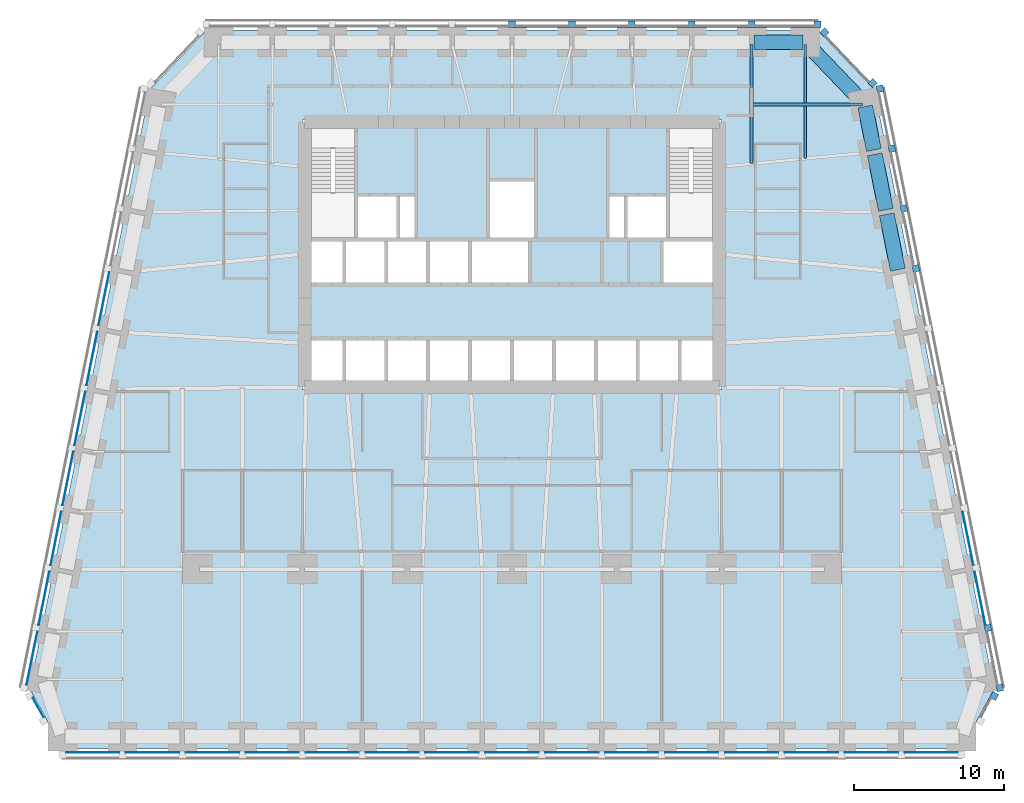
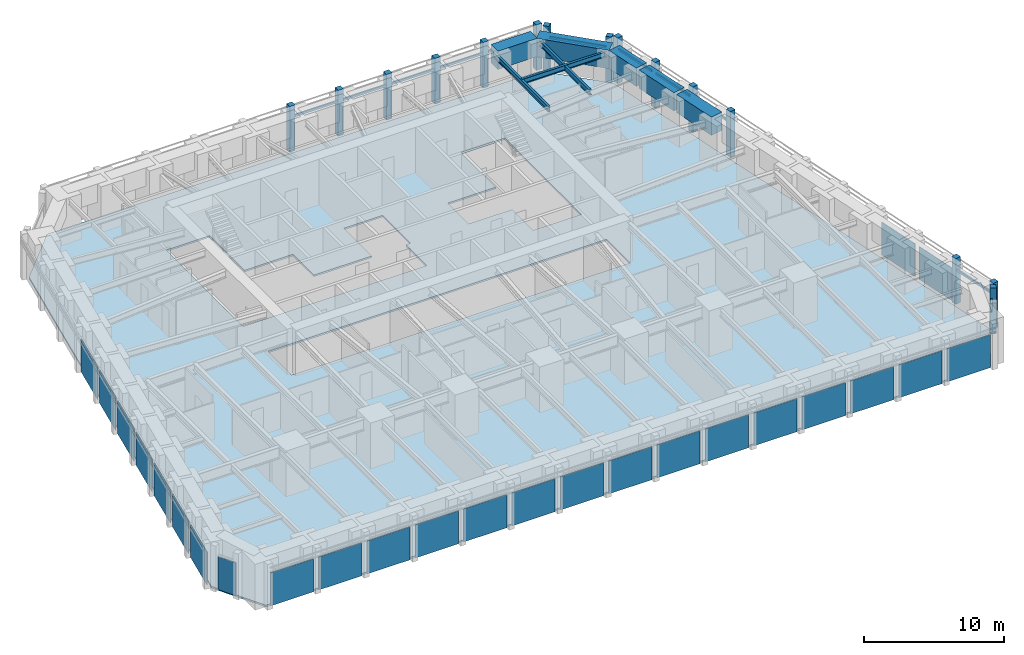
# One storey, part 4 of 10: 26 members, 25 plates, 8 beams, 1 slab, 7 elements without a shape of their own.
"""IFC4 building model written with IfcOpenShell, lengths in metres."""

from ifc_helpers import new_model, si_unit, direction, frame, origin, origin_2d, place, context, subcontext, project, spatial, polyline, rectangle, i_section, outline, extrude, material, layer, layer_set, material_profile, profile_set, type_object, element, aggregate, save


model = new_model("IFC4")

# Units and contexts
model_context = context("Model", 3, precision=1e-05, world=origin(), true_north=direction((0.0, 1.0)))
body_context = subcontext(model_context, "Body", "Model", "MODEL_VIEW")
ifc_project = project(units=[si_unit("LENGTHUNIT", "METRE"), si_unit("AREAUNIT", "SQUARE_METRE"), si_unit("VOLUMEUNIT", "CUBIC_METRE"), si_unit("PLANEANGLEUNIT", "RADIAN"), si_unit("MASSUNIT", "GRAM", prefix="KILO")], contexts=[model_context])

# Site, building, storey
site_placement = place(None, origin())
site = spatial("IfcSite", under=ifc_project, at=site_placement, CompositionType="ELEMENT")
building_placement = place(site_placement, origin())
building = spatial("IfcBuilding", under=site, at=building_placement, Name="Isbrekke Arena Tower", CompositionType="ELEMENT")
storey_placement = place(building_placement, frame((0.0, 0.0, 76.0)))
storey = spatial("IfcBuildingStorey", under=building, at=storey_placement, Name="L16", CompositionType="ELEMENT", Elevation=76.0)

# Beams
ifc_material_1 = material(Name="Steel S355", Category="steel")
ifc_material_profile_1 = material_profile(ifc_material_1, i_section(OverallWidth=0.18994140625, OverallDepth=0.449951171875, WebThickness=0.009521484375, FlangeThickness=0.0146484375, FilletRadius=0.02099609375, at=origin_2d()), Name="IPE 450")
ifc_profile_set_1 = profile_set([ifc_material_profile_1], Name="Steel S355")
beam_type_1 = type_object("IfcBeamType", Name="B2 IPE 450", PredefinedType="BEAM", material=ifc_profile_set_1)
beam_1_placement = place(storey_placement, frame((23.40283203125, 25.029296875, 3.625), z_axis=(-1.0, 0.0, 0.0), x_axis=(0.0, -1.0, 0.0)))
element("IfcBeam", 1, at=beam_1_placement, inside=storey, type_object=beam_type_1, Name="B2 beam E-E11 L16", PredefinedType="BEAM", context=body_context, shape_type="SweptSolid", body=[
    extrude(i_section(OverallWidth=0.18994140625, OverallDepth=0.449951171875, WebThickness=0.009521484375, FlangeThickness=0.0146484375, FilletRadius=0.02099609375, at=origin_2d()), origin(), (0.0, 0.0, 1.0), 7.40283203125),
])
ifc_material_2 = material(Name="Steel S355", Category="steel")
ifc_material_profile_2 = material_profile(ifc_material_2, i_section(OverallWidth=0.18994140625, OverallDepth=0.449951171875, WebThickness=0.009521484375, FlangeThickness=0.0146484375, FilletRadius=0.02099609375, at=origin_2d()), Name="IPE 450")
ifc_profile_set_2 = profile_set([ifc_material_profile_2], Name="Steel S355")
beam_type_2 = type_object("IfcBeamType", Name="B3 IPE 450", PredefinedType="BEAM", material=ifc_profile_set_2)
beam_2_placement = place(storey_placement, frame((19.574951171875, 29.02490234375, 3.625), z_axis=(0.0, -1.0, 0.0), x_axis=(1.0, 0.0, 0.0)))
element("IfcBeam", 2, at=beam_2_placement, inside=storey, type_object=beam_type_2, Name="B3 beam N-N01 L16", PredefinedType="BEAM", context=body_context, shape_type="SweptSolid", body=[
    extrude(i_section(OverallWidth=0.18994140625, OverallDepth=0.449951171875, WebThickness=0.009521484375, FlangeThickness=0.0146484375, FilletRadius=0.02099609375, at=origin_2d()), origin(), (0.0, 0.0, 1.0), 7.616943359375),
])
beam_3_placement = place(storey_placement, frame((16.0, 29.02490234375, 3.625), z_axis=(0.0, -1.0, 0.0), x_axis=(1.0, 0.0, 0.0)))
element("IfcBeam", 3, at=beam_3_placement, inside=storey, type_object=beam_type_2, Name="B3 beam N-N02 L16", PredefinedType="BEAM", context=body_context, shape_type="SweptSolid", body=[
    extrude(i_section(OverallWidth=0.18994140625, OverallDepth=0.449951171875, WebThickness=0.009521484375, FlangeThickness=0.0146484375, FilletRadius=0.02099609375, at=origin_2d()), origin(), (0.0, 0.0, 1.0), 7.961181640625),
])

# Curtain wall, member
ifc_material_3 = material(Name="Glazed aluminium curtain wall", Category="aluminium")
curtain_wall_type = type_object("IfcCurtainWallType", Name="CWL TOWER CURTAIN WALL LOW ZONE", PredefinedType="USERDEFINED", material=ifc_material_3)
curtain_wall_1_placement = place(storey_placement, origin())
curtain_wall_1 = element("IfcCurtainWall", 4, at=curtain_wall_1_placement, inside=storey, type_object=curtain_wall_type, Name="CWL curtain wall L16-SE", ObjectType="TOWER CURTAIN WALL LOW ZONE", PredefinedType="USERDEFINED")
ifc_material_4 = material(Name="Aluminium mullion, pale brick slip cladding", Category="masonry")
ifc_material_profile_3 = material_profile(ifc_material_4, rectangle(XDim=0.449951171875, YDim=0.449951171875, at=origin_2d()), Name="PIER 450X450")
ifc_profile_set_3 = profile_set([ifc_material_profile_3], Name="Aluminium mullion, pale brick slip cladding")
member_type_1 = type_object("IfcMemberType", Name="CWL-M PIER MULLION 450 x 450", PredefinedType="MULLION", material=ifc_profile_set_3)
member_1_placement = place(storey_placement, frame((32.195556640625, -14.47509765625, 0.0), z_axis=(0.0, 0.0, 1.0), x_axis=(0.481918749773, 0.876215908676, 0.0)))
member_1 = element("IfcMember", 5, at=member_1_placement, type_object=member_type_1, Name="CWL-M mullion 2", PredefinedType="MULLION", context=body_context, shape_type="SweptSolid", body=[
    extrude(rectangle(XDim=0.449951171875, YDim=0.449951171875, at=origin_2d()), origin(), (0.0, 0.0, 1.0), 4.0),
])

# Curtain wall, members
curtain_wall_2_placement = place(storey_placement, origin())
curtain_wall_2 = element("IfcCurtainWall", 6, at=curtain_wall_2_placement, inside=storey, type_object=curtain_wall_type, Name="CWL curtain wall L16-E", ObjectType="TOWER CURTAIN WALL LOW ZONE", PredefinedType="USERDEFINED")
member_2_placement = place(storey_placement, frame((32.567626953125, -13.926513671875, 0.0), z_axis=(0.0, 0.0, 1.0), x_axis=(-0.196116135138, 0.980580675691, 0.0)))
member_2 = element("IfcMember", 7, at=member_2_placement, type_object=member_type_1, Name="CWL-M mullion 1", PredefinedType="MULLION", context=body_context, shape_type="SweptSolid", body=[
    extrude(rectangle(XDim=0.449951171875, YDim=0.449951171875, at=origin_2d()), origin(), (0.0, 0.0, 1.0), 4.0),
])
member_3_placement = place(storey_placement, frame((31.767822265625, -9.926513671875, 0.0), z_axis=(0.0, 0.0, 1.0), x_axis=(-0.196116135138, 0.980580675691, 0.0)))
member_3 = element("IfcMember", 8, at=member_3_placement, type_object=member_type_1, Name="CWL-M mullion 2", PredefinedType="MULLION", context=body_context, shape_type="SweptSolid", body=[
    extrude(rectangle(XDim=0.449951171875, YDim=0.449951171875, at=origin_2d()), origin(), (0.0, 0.0, 1.0), 4.0),
])
member_4_placement = place(storey_placement, frame((26.9677734375, 14.073486328125, 0.0), z_axis=(0.0, 0.0, 1.0), x_axis=(-0.196116135138, 0.980580675691, 0.0)))
member_4 = element("IfcMember", 9, at=member_4_placement, type_object=member_type_1, Name="CWL-M mullion 8", PredefinedType="MULLION", context=body_context, shape_type="SweptSolid", body=[
    extrude(rectangle(XDim=0.449951171875, YDim=0.449951171875, at=origin_2d()), origin(), (0.0, 0.0, 1.0), 4.0),
])
member_5_placement = place(storey_placement, frame((26.167724609375, 18.073486328125, 0.0), z_axis=(0.0, 0.0, 1.0), x_axis=(-0.196116135138, 0.980580675691, 0.0)))
member_5 = element("IfcMember", 10, at=member_5_placement, type_object=member_type_1, Name="CWL-M mullion 9", PredefinedType="MULLION", context=body_context, shape_type="SweptSolid", body=[
    extrude(rectangle(XDim=0.449951171875, YDim=0.449951171875, at=origin_2d()), origin(), (0.0, 0.0, 1.0), 4.0),
])
member_6_placement = place(storey_placement, frame((25.36767578125, 22.073486328125, 0.0), z_axis=(0.0, 0.0, 1.0), x_axis=(-0.196116135138, 0.980580675691, 0.0)))
member_6 = element("IfcMember", 11, at=member_6_placement, type_object=member_type_1, Name="CWL-M mullion 10", PredefinedType="MULLION", context=body_context, shape_type="SweptSolid", body=[
    extrude(rectangle(XDim=0.449951171875, YDim=0.449951171875, at=origin_2d()), origin(), (0.0, 0.0, 1.0), 4.0),
])
member_7_placement = place(storey_placement, frame((24.567626953125, 26.073486328125, 0.0), z_axis=(0.0, 0.0, 1.0), x_axis=(-0.196116135138, 0.980580675691, 0.0)))
member_7 = element("IfcMember", 12, at=member_7_placement, type_object=member_type_1, Name="CWL-M mullion 11", PredefinedType="MULLION", context=body_context, shape_type="SweptSolid", body=[
    extrude(rectangle(XDim=0.449951171875, YDim=0.449951171875, at=origin_2d()), origin(), (0.0, 0.0, 1.0), 4.0),
])

curtain_wall_3_placement = place(storey_placement, origin())
curtain_wall_3 = element("IfcCurtainWall", 13, at=curtain_wall_3_placement, inside=storey, type_object=curtain_wall_type, Name="CWL curtain wall L16-EN", ObjectType="TOWER CURTAIN WALL LOW ZONE", PredefinedType="USERDEFINED")
member_8_placement = place(storey_placement, frame((24.08837890625, 26.444091796875, 0.0), z_axis=(0.0, 0.0, 1.0), x_axis=(-0.68874946192, 0.72499943359, 0.0)))
member_8 = element("IfcMember", 14, at=member_8_placement, type_object=member_type_1, Name="CWL-M mullion 1", PredefinedType="MULLION", context=body_context, shape_type="SweptSolid", body=[
    extrude(rectangle(XDim=0.449951171875, YDim=0.449951171875, at=origin_2d()), origin(), (0.0, 0.0, 1.0), 4.0),
])
member_9_placement = place(storey_placement, frame((20.86572265625, 29.83642578125, 0.0), z_axis=(0.0, 0.0, 1.0), x_axis=(-0.68874946192, 0.72499943359, 0.0)))
member_9 = element("IfcMember", 15, at=member_9_placement, type_object=member_type_1, Name="CWL-M mullion 2", PredefinedType="MULLION", context=body_context, shape_type="SweptSolid", body=[
    extrude(rectangle(XDim=0.449951171875, YDim=0.449951171875, at=origin_2d()), origin(), (0.0, 0.0, 1.0), 4.0),
])

curtain_wall_4_placement = place(storey_placement, origin())
curtain_wall_4 = element("IfcCurtainWall", 16, at=curtain_wall_4_placement, inside=storey, type_object=curtain_wall_type, Name="CWL curtain wall L16-N", ObjectType="TOWER CURTAIN WALL LOW ZONE", PredefinedType="USERDEFINED")
member_10_placement = place(storey_placement, frame((20.39990234375, 30.375, 0.0), z_axis=(0.0, 0.0, 1.0), x_axis=(-1.0, 0.0, 0.0)))
member_10 = element("IfcMember", 17, at=member_10_placement, type_object=member_type_1, Name="CWL-M mullion 1", PredefinedType="MULLION", context=body_context, shape_type="SweptSolid", body=[
    extrude(rectangle(XDim=0.449951171875, YDim=0.449951171875, at=origin_2d()), origin(), (0.0, 0.0, 1.0), 4.0),
])
member_11_placement = place(storey_placement, frame((16.0, 30.375, 0.0), z_axis=(0.0, 0.0, 1.0), x_axis=(-1.0, 0.0, 0.0)))
member_11 = element("IfcMember", 18, at=member_11_placement, type_object=member_type_1, Name="CWL-M mullion 2", PredefinedType="MULLION", context=body_context, shape_type="SweptSolid", body=[
    extrude(rectangle(XDim=0.449951171875, YDim=0.449951171875, at=origin_2d()), origin(), (0.0, 0.0, 1.0), 4.0),
])
member_12_placement = place(storey_placement, frame((12.0, 30.375, 0.0), z_axis=(0.0, 0.0, 1.0), x_axis=(-1.0, 0.0, 0.0)))
member_12 = element("IfcMember", 19, at=member_12_placement, type_object=member_type_1, Name="CWL-M mullion 3", PredefinedType="MULLION", context=body_context, shape_type="SweptSolid", body=[
    extrude(rectangle(XDim=0.449951171875, YDim=0.449951171875, at=origin_2d()), origin(), (0.0, 0.0, 1.0), 4.0),
])
member_13_placement = place(storey_placement, frame((8.0, 30.375, 0.0), z_axis=(0.0, 0.0, 1.0), x_axis=(-1.0, 0.0, 0.0)))
member_13 = element("IfcMember", 20, at=member_13_placement, type_object=member_type_1, Name="CWL-M mullion 4", PredefinedType="MULLION", context=body_context, shape_type="SweptSolid", body=[
    extrude(rectangle(XDim=0.449951171875, YDim=0.449951171875, at=origin_2d()), origin(), (0.0, 0.0, 1.0), 4.0),
])
member_14_placement = place(storey_placement, frame((4.0, 30.375, 0.0), z_axis=(0.0, 0.0, 1.0), x_axis=(-1.0, 0.0, 0.0)))
member_14 = element("IfcMember", 21, at=member_14_placement, type_object=member_type_1, Name="CWL-M mullion 5", PredefinedType="MULLION", context=body_context, shape_type="SweptSolid", body=[
    extrude(rectangle(XDim=0.449951171875, YDim=0.449951171875, at=origin_2d()), origin(), (0.0, 0.0, 1.0), 4.0),
])
member_15_placement = place(storey_placement, frame((0.0, 30.375, 0.0), z_axis=(0.0, 0.0, 1.0), x_axis=(-1.0, 0.0, 0.0)))
member_15 = element("IfcMember", 22, at=member_15_placement, type_object=member_type_1, Name="CWL-M mullion 6", PredefinedType="MULLION", context=body_context, shape_type="SweptSolid", body=[
    extrude(rectangle(XDim=0.449951171875, YDim=0.449951171875, at=origin_2d()), origin(), (0.0, 0.0, 1.0), 4.0),
])

# Member
ifc_material_5 = material(Name="Aluminium transom", Category="aluminium")
ifc_material_profile_4 = material_profile(ifc_material_5, rectangle(XDim=0.1201171875, YDim=0.199951171875, at=origin_2d()), Name="TRANSOM 120X200")
ifc_profile_set_4 = profile_set([ifc_material_profile_4], Name="Aluminium transom")
member_type_2 = type_object("IfcMemberType", Name="CWL-T TRANSOM 120 x 200", PredefinedType="USERDEFINED", material=ifc_profile_set_4)
member_16_placement = place(storey_placement, frame((31.277099609375, -15.88525390625, 3.0), z_axis=(0.481944543569, 0.876201721594, 0.0), x_axis=(-0.876201721594, 0.481944543569, 0.0)))
member_16 = element("IfcMember", 23, at=member_16_placement, type_object=member_type_2, Name="CWL-T transom 1", ObjectType="TRANSOM", PredefinedType="USERDEFINED", context=body_context, shape_type="SweptSolid", body=[
    extrude(rectangle(XDim=0.1201171875, YDim=0.199951171875, at=origin_2d()), origin(), (0.0, 0.0, 1.0), 1.453369140625),
])

aggregate(curtain_wall_1, [member_1, member_16])

member_17_placement = place(storey_placement, frame((32.401123046875, -13.730224609375, 3.0), z_axis=(-0.196167883278, 0.980570324643, 0.0), x_axis=(-0.980570324643, -0.196167883278, 0.0)))
member_17 = element("IfcMember", 24, at=member_17_placement, type_object=member_type_2, Name="CWL-T transom 1", ObjectType="TRANSOM", PredefinedType="USERDEFINED", context=body_context, shape_type="SweptSolid", body=[
    extrude(rectangle(XDim=0.1201171875, YDim=0.199951171875, at=origin_2d()), origin(), (0.0, 0.0, 1.0), 3.629150390625),
])

member_18_placement = place(storey_placement, frame((26.801025390625, 14.269775390625, 3.0), z_axis=(-0.196103197847, 0.98058326306, 0.0), x_axis=(-0.98058326306, -0.196103197847, 0.0)))
member_18 = element("IfcMember", 25, at=member_18_placement, type_object=member_type_2, Name="CWL-T transom 8", ObjectType="TRANSOM", PredefinedType="USERDEFINED", context=body_context, shape_type="SweptSolid", body=[
    extrude(rectangle(XDim=0.1201171875, YDim=0.199951171875, at=origin_2d()), origin(), (0.0, 0.0, 1.0), 3.629150390625),
])

member_19_placement = place(storey_placement, frame((26.0009765625, 18.269775390625, 3.0), z_axis=(-0.196103197847, 0.98058326306, 0.0), x_axis=(-0.98058326306, -0.196103197847, 0.0)))
member_19 = element("IfcMember", 26, at=member_19_placement, type_object=member_type_2, Name="CWL-T transom 9", ObjectType="TRANSOM", PredefinedType="USERDEFINED", context=body_context, shape_type="SweptSolid", body=[
    extrude(rectangle(XDim=0.1201171875, YDim=0.199951171875, at=origin_2d()), origin(), (0.0, 0.0, 1.0), 3.629150390625),
])

member_20_placement = place(storey_placement, frame((25.200927734375, 22.269775390625, 3.0), z_axis=(-0.196103197847, 0.98058326306, 0.0), x_axis=(-0.98058326306, -0.196103197847, 0.0)))
member_20 = element("IfcMember", 27, at=member_20_placement, type_object=member_type_2, Name="CWL-T transom 10", ObjectType="TRANSOM", PredefinedType="USERDEFINED", context=body_context, shape_type="SweptSolid", body=[
    extrude(rectangle(XDim=0.1201171875, YDim=0.199951171875, at=origin_2d()), origin(), (0.0, 0.0, 1.0), 3.629150390625),
])

member_21_placement = place(storey_placement, frame((23.8427734375, 26.521240234375, 3.0), z_axis=(-0.688776771287, 0.724973488712, 0.0), x_axis=(-0.724973488712, -0.688776771287, 0.0)))
member_21 = element("IfcMember", 28, at=member_21_placement, type_object=member_type_2, Name="CWL-T transom 1", ObjectType="TRANSOM", PredefinedType="USERDEFINED", context=body_context, shape_type="SweptSolid", body=[
    extrude(rectangle(XDim=0.1201171875, YDim=0.199951171875, at=origin_2d()), origin(), (0.0, 0.0, 1.0), 4.22900390625),
])

aggregate(curtain_wall_3, [member_8, member_9, member_21])

member_22_placement = place(storey_placement, frame((20.175048828125, 30.25, 3.0), z_axis=(-1.0, 0.0, 0.0), x_axis=(0.0, -1.0, 0.0)))
member_22 = element("IfcMember", 29, at=member_22_placement, type_object=member_type_2, Name="CWL-T transom 1", ObjectType="TRANSOM", PredefinedType="USERDEFINED", context=body_context, shape_type="SweptSolid", body=[
    extrude(rectangle(XDim=0.1201171875, YDim=0.199951171875, at=origin_2d()), origin(), (0.0, 0.0, 1.0), 3.949951171875),
])

member_23_placement = place(storey_placement, frame((15.77490234375, 30.25, 3.0), z_axis=(-1.0, 0.0, 0.0), x_axis=(0.0, -1.0, 0.0)))
member_23 = element("IfcMember", 30, at=member_23_placement, type_object=member_type_2, Name="CWL-T transom 2", ObjectType="TRANSOM", PredefinedType="USERDEFINED", context=body_context, shape_type="SweptSolid", body=[
    extrude(rectangle(XDim=0.1201171875, YDim=0.199951171875, at=origin_2d()), origin(), (0.0, 0.0, 1.0), 3.5498046875),
])

member_24_placement = place(storey_placement, frame((11.77490234375, 30.25, 3.0), z_axis=(-1.0, 0.0, 0.0), x_axis=(0.0, -1.0, 0.0)))
member_24 = element("IfcMember", 31, at=member_24_placement, type_object=member_type_2, Name="CWL-T transom 3", ObjectType="TRANSOM", PredefinedType="USERDEFINED", context=body_context, shape_type="SweptSolid", body=[
    extrude(rectangle(XDim=0.1201171875, YDim=0.199951171875, at=origin_2d()), origin(), (0.0, 0.0, 1.0), 3.5498046875),
])

member_25_placement = place(storey_placement, frame((7.77490234375, 30.25, 3.0), z_axis=(-1.0, 0.0, 0.0), x_axis=(0.0, -1.0, 0.0)))
member_25 = element("IfcMember", 32, at=member_25_placement, type_object=member_type_2, Name="CWL-T transom 4", ObjectType="TRANSOM", PredefinedType="USERDEFINED", context=body_context, shape_type="SweptSolid", body=[
    extrude(rectangle(XDim=0.1201171875, YDim=0.199951171875, at=origin_2d()), origin(), (0.0, 0.0, 1.0), 3.5498046875),
])

member_26_placement = place(storey_placement, frame((3.77490234375, 30.25, 3.0), z_axis=(-1.0, 0.0, 0.0), x_axis=(0.0, -1.0, 0.0)))
member_26 = element("IfcMember", 33, at=member_26_placement, type_object=member_type_2, Name="CWL-T transom 5", ObjectType="TRANSOM", PredefinedType="USERDEFINED", context=body_context, shape_type="SweptSolid", body=[
    extrude(rectangle(XDim=0.1201171875, YDim=0.199951171875, at=origin_2d()), origin(), (0.0, 0.0, 1.0), 3.5498046875),
])

aggregate(curtain_wall_4, [member_10, member_11, member_12, member_13, member_14, member_15, member_22, member_23, member_24, member_25, member_26])

# Beams
ifc_material_6 = material(Name="Concrete B90 (C90/105)", Category="concrete")
ifc_material_profile_5 = material_profile(ifc_material_6, rectangle(XDim=1.0, YDim=1.60009765625, at=origin_2d()), Name="RC 1000x1600")
ifc_profile_set_5 = profile_set([ifc_material_profile_5], Name="Concrete B90 (C90/105)")
beam_type_3 = type_object("IfcBeamType", Name="SB1 RC 1000 x 1600", PredefinedType="SPANDREL", material=ifc_profile_set_5)
for number, where, z_axis, x_axis, name in (
    (34, (25.76171875, 13.9853515625, 3.199951171875), (-0.196128558387, 0.980578190959, 0.0), (-0.980578190959, -0.196128558387, 0.0), "SB1 spandrel E08-E09 L16"),
    (35, (24.961669921875, 17.9853515625, 3.199951171875), (-0.196128558387, 0.980578190959, 0.0), (-0.980578190959, -0.196128558387, 0.0), "SB1 spandrel E09-E10 L16"),
):
    element("IfcBeam", number, at=place(storey_placement, frame(where, z_axis=z_axis, x_axis=x_axis)), inside=storey, type_object=beam_type_3, Name=name, PredefinedType="SPANDREL", context=body_context, shape_type="SweptSolid", body=[
        extrude(rectangle(XDim=1.0, YDim=1.60009765625, at=origin_2d()), origin(), (0.0, 0.0, 1.0), 3.779296875),
    ])
beam_4_placement = place(storey_placement, frame((24.16162109375, 21.9853515625, 3.199951171875), z_axis=(-0.196116135138, 0.980580675691, 0.0), x_axis=(-0.980580675691, -0.196116135138, 0.0)))
element("IfcBeam", 36, at=beam_4_placement, inside=storey, type_object=beam_type_3, Name="SB1 spandrel E10-E11 L16", PredefinedType="SPANDREL", context=body_context, shape_type="SweptSolid", body=[
    extrude(rectangle(XDim=1.0, YDim=1.60009765625, at=origin_2d()), origin(), (0.0, 0.0, 1.0), 2.9541015625),
])
beam_5_placement = place(storey_placement, frame((23.448974609375, 25.137451171875, 3.199951171875), z_axis=(-0.692339547635, 0.721571861134, 0.0), x_axis=(-0.721571861134, -0.692339547635, 0.0)))
element("IfcBeam", 37, at=beam_5_placement, inside=storey, type_object=beam_type_3, Name="SB1 spandrel E11-N01 L16", PredefinedType="SPANDREL", context=body_context, shape_type="SweptSolid", body=[
    extrude(rectangle(XDim=1.0, YDim=1.60009765625, at=origin_2d()), origin(), (0.0, 0.0, 1.0), 5.4453125),
])
beam_6_placement = place(storey_placement, frame((19.425048828125, 29.175048828125, 3.199951171875), z_axis=(-1.0, 0.0, 0.0), x_axis=(0.0, -1.0, 0.0)))
element("IfcBeam", 38, at=beam_6_placement, inside=storey, type_object=beam_type_3, Name="SB1 spandrel N01-N02 L16", PredefinedType="SPANDREL", context=body_context, shape_type="SweptSolid", body=[
    extrude(rectangle(XDim=1.0, YDim=1.60009765625, at=origin_2d()), origin(), (0.0, 0.0, 1.0), 3.275146484375),
])

# Curtain wall, plates
curtain_wall_5_placement = place(storey_placement, origin())
curtain_wall_5 = element("IfcCurtainWall", 39, at=curtain_wall_5_placement, inside=storey, type_object=curtain_wall_type, Name="CWL curtain wall L16-S", ObjectType="TOWER CURTAIN WALL LOW ZONE", PredefinedType="USERDEFINED")
ifc_material_7 = material(Name="Triple-glazed clear glass unit", Category="glass")
ifc_layer_1 = layer(ifc_material_7, 0.031982421875)
ifc_layer_set_1 = layer_set([ifc_layer_1], Name="CWL-P VISION PANEL")
plate_type = type_object("IfcPlateType", Name="CWL-P VISION PANEL", PredefinedType="CURTAIN_PANEL", material=ifc_layer_set_1)
plate_1_placement = place(storey_placement, frame((-28.0, -18.25, 0.02001953125), z_axis=(0.0, 0.0, 1.0), x_axis=(1.0, 0.0, 0.0)))
plate_1 = element("IfcPlate", 40, at=plate_1_placement, type_object=plate_type, Name="CWL-P panel 1", PredefinedType="CURTAIN_PANEL", context=body_context, shape_type="SweptSolid", body=[
    extrude(rectangle(XDim=3.550048828125, YDim=0.031982421875, at=origin_2d()), origin(), (0.0, 0.0, 1.0), 2.8798828125),
])
plate_2_placement = place(storey_placement, frame((-24.0, -18.25, 0.02001953125), z_axis=(0.0, 0.0, 1.0), x_axis=(1.0, 0.0, 0.0)))
plate_2 = element("IfcPlate", 41, at=plate_2_placement, type_object=plate_type, Name="CWL-P panel 2", PredefinedType="CURTAIN_PANEL", context=body_context, shape_type="SweptSolid", body=[
    extrude(rectangle(XDim=3.550048828125, YDim=0.031982421875, at=origin_2d()), origin(), (0.0, 0.0, 1.0), 2.8798828125),
])
plate_3_placement = place(storey_placement, frame((-20.0, -18.25, 0.02001953125), z_axis=(0.0, 0.0, 1.0), x_axis=(1.0, 0.0, 0.0)))
plate_3 = element("IfcPlate", 42, at=plate_3_placement, type_object=plate_type, Name="CWL-P panel 3", PredefinedType="CURTAIN_PANEL", context=body_context, shape_type="SweptSolid", body=[
    extrude(rectangle(XDim=3.550048828125, YDim=0.031982421875, at=origin_2d()), origin(), (0.0, 0.0, 1.0), 2.8798828125),
])
plate_4_placement = place(storey_placement, frame((-16.0, -18.25, 0.02001953125), z_axis=(0.0, 0.0, 1.0), x_axis=(1.0, 0.0, 0.0)))
plate_4 = element("IfcPlate", 43, at=plate_4_placement, type_object=plate_type, Name="CWL-P panel 4", PredefinedType="CURTAIN_PANEL", context=body_context, shape_type="SweptSolid", body=[
    extrude(rectangle(XDim=3.550048828125, YDim=0.031982421875, at=origin_2d()), origin(), (0.0, 0.0, 1.0), 2.8798828125),
])
plate_5_placement = place(storey_placement, frame((-12.0, -18.25, 0.02001953125), z_axis=(0.0, 0.0, 1.0), x_axis=(1.0, 0.0, 0.0)))
plate_5 = element("IfcPlate", 44, at=plate_5_placement, type_object=plate_type, Name="CWL-P panel 5", PredefinedType="CURTAIN_PANEL", context=body_context, shape_type="SweptSolid", body=[
    extrude(rectangle(XDim=3.550048828125, YDim=0.031982421875, at=origin_2d()), origin(), (0.0, 0.0, 1.0), 2.8798828125),
])
plate_6_placement = place(storey_placement, frame((-8.0, -18.25, 0.02001953125), z_axis=(0.0, 0.0, 1.0), x_axis=(1.0, 0.0, 0.0)))
plate_6 = element("IfcPlate", 45, at=plate_6_placement, type_object=plate_type, Name="CWL-P panel 6", PredefinedType="CURTAIN_PANEL", context=body_context, shape_type="SweptSolid", body=[
    extrude(rectangle(XDim=3.550048828125, YDim=0.031982421875, at=origin_2d()), origin(), (0.0, 0.0, 1.0), 2.8798828125),
])
plate_7_placement = place(storey_placement, frame((-4.0, -18.25, 0.02001953125), z_axis=(0.0, 0.0, 1.0), x_axis=(1.0, 0.0, 0.0)))
plate_7 = element("IfcPlate", 46, at=plate_7_placement, type_object=plate_type, Name="CWL-P panel 7", PredefinedType="CURTAIN_PANEL", context=body_context, shape_type="SweptSolid", body=[
    extrude(rectangle(XDim=3.550048828125, YDim=0.031982421875, at=origin_2d()), origin(), (0.0, 0.0, 1.0), 2.8798828125),
])
plate_8_placement = place(storey_placement, frame((0.0, -18.25, 0.02001953125), z_axis=(0.0, 0.0, 1.0), x_axis=(1.0, 0.0, 0.0)))
plate_8 = element("IfcPlate", 47, at=plate_8_placement, type_object=plate_type, Name="CWL-P panel 8", PredefinedType="CURTAIN_PANEL", context=body_context, shape_type="SweptSolid", body=[
    extrude(rectangle(XDim=3.550048828125, YDim=0.031982421875, at=origin_2d()), origin(), (0.0, 0.0, 1.0), 2.8798828125),
])
plate_9_placement = place(storey_placement, frame((4.0, -18.25, 0.02001953125), z_axis=(0.0, 0.0, 1.0), x_axis=(1.0, 0.0, 0.0)))
plate_9 = element("IfcPlate", 48, at=plate_9_placement, type_object=plate_type, Name="CWL-P panel 9", PredefinedType="CURTAIN_PANEL", context=body_context, shape_type="SweptSolid", body=[
    extrude(rectangle(XDim=3.550048828125, YDim=0.031982421875, at=origin_2d()), origin(), (0.0, 0.0, 1.0), 2.8798828125),
])
plate_10_placement = place(storey_placement, frame((8.0, -18.25, 0.02001953125), z_axis=(0.0, 0.0, 1.0), x_axis=(1.0, 0.0, 0.0)))
plate_10 = element("IfcPlate", 49, at=plate_10_placement, type_object=plate_type, Name="CWL-P panel 10", PredefinedType="CURTAIN_PANEL", context=body_context, shape_type="SweptSolid", body=[
    extrude(rectangle(XDim=3.550048828125, YDim=0.031982421875, at=origin_2d()), origin(), (0.0, 0.0, 1.0), 2.8798828125),
])
plate_11_placement = place(storey_placement, frame((12.0, -18.25, 0.02001953125), z_axis=(0.0, 0.0, 1.0), x_axis=(1.0, 0.0, 0.0)))
plate_11 = element("IfcPlate", 50, at=plate_11_placement, type_object=plate_type, Name="CWL-P panel 11", PredefinedType="CURTAIN_PANEL", context=body_context, shape_type="SweptSolid", body=[
    extrude(rectangle(XDim=3.550048828125, YDim=0.031982421875, at=origin_2d()), origin(), (0.0, 0.0, 1.0), 2.8798828125),
])
plate_12_placement = place(storey_placement, frame((16.0, -18.25, 0.02001953125), z_axis=(0.0, 0.0, 1.0), x_axis=(1.0, 0.0, 0.0)))
plate_12 = element("IfcPlate", 51, at=plate_12_placement, type_object=plate_type, Name="CWL-P panel 12", PredefinedType="CURTAIN_PANEL", context=body_context, shape_type="SweptSolid", body=[
    extrude(rectangle(XDim=3.550048828125, YDim=0.031982421875, at=origin_2d()), origin(), (0.0, 0.0, 1.0), 2.8798828125),
])
plate_13_placement = place(storey_placement, frame((20.0, -18.25, 0.02001953125), z_axis=(0.0, 0.0, 1.0), x_axis=(1.0, 0.0, 0.0)))
plate_13 = element("IfcPlate", 52, at=plate_13_placement, type_object=plate_type, Name="CWL-P panel 13", PredefinedType="CURTAIN_PANEL", context=body_context, shape_type="SweptSolid", body=[
    extrude(rectangle(XDim=3.550048828125, YDim=0.031982421875, at=origin_2d()), origin(), (0.0, 0.0, 1.0), 2.8798828125),
])
plate_14_placement = place(storey_placement, frame((24.0, -18.25, 0.02001953125), z_axis=(0.0, 0.0, 1.0), x_axis=(1.0, 0.0, 0.0)))
plate_14 = element("IfcPlate", 53, at=plate_14_placement, type_object=plate_type, Name="CWL-P panel 14", PredefinedType="CURTAIN_PANEL", context=body_context, shape_type="SweptSolid", body=[
    extrude(rectangle(XDim=3.550048828125, YDim=0.031982421875, at=origin_2d()), origin(), (0.0, 0.0, 1.0), 2.8798828125),
])
plate_15_placement = place(storey_placement, frame((28.0, -18.25, 0.02001953125), z_axis=(0.0, 0.0, 1.0), x_axis=(1.0, 0.0, 0.0)))
plate_15 = element("IfcPlate", 54, at=plate_15_placement, type_object=plate_type, Name="CWL-P panel 15", PredefinedType="CURTAIN_PANEL", context=body_context, shape_type="SweptSolid", body=[
    extrude(rectangle(XDim=3.550048828125, YDim=0.031982421875, at=origin_2d()), origin(), (0.0, 0.0, 1.0), 2.8798828125),
])
aggregate(curtain_wall_5, [plate_1, plate_2, plate_3, plate_4, plate_5, plate_6, plate_7, plate_8, plate_9, plate_10, plate_11, plate_12, plate_13, plate_14, plate_15])

# Plate
plate_16_placement = place(storey_placement, frame((31.2451171875, -7.950927734375, 0.02001953125), z_axis=(0.0, 0.0, 1.0), x_axis=(-0.196116135138, 0.980580675691, 0.0)))
plate_16 = element("IfcPlate", 55, at=plate_16_placement, type_object=plate_type, Name="CWL-P panel 2", PredefinedType="CURTAIN_PANEL", context=body_context, shape_type="SweptSolid", body=[
    extrude(rectangle(XDim=3.629150390625, YDim=0.031982421875, at=origin_2d()), origin(), (0.0, 0.0, 1.0), 2.8798828125),
])

plate_17_placement = place(storey_placement, frame((30.445068359375, -3.950927734375, 0.02001953125), z_axis=(0.0, 0.0, 1.0), x_axis=(-0.196116135138, 0.980580675691, 0.0)))
plate_17 = element("IfcPlate", 56, at=plate_17_placement, type_object=plate_type, Name="CWL-P panel 3", PredefinedType="CURTAIN_PANEL", context=body_context, shape_type="SweptSolid", body=[
    extrude(rectangle(XDim=3.629150390625, YDim=0.031982421875, at=origin_2d()), origin(), (0.0, 0.0, 1.0), 2.8798828125),
])

aggregate(curtain_wall_2, [member_2, member_3, member_4, member_5, member_6, member_7, member_17, plate_16, plate_17, member_18, member_19, member_20])

# Curtain wall, plates
curtain_wall_6_placement = place(storey_placement, origin())
curtain_wall_6 = element("IfcCurtainWall", 57, at=curtain_wall_6_placement, inside=storey, type_object=curtain_wall_type, Name="CWL curtain wall L16-W", ObjectType="TOWER CURTAIN WALL LOW ZONE", PredefinedType="USERDEFINED")
plate_18_placement = place(storey_placement, frame((-27.2451171875, 12.049072265625, 0.02001953125), z_axis=(0.0, 0.0, 1.0), x_axis=(-0.196116135138, -0.980580675691, 0.0)))
plate_18 = element("IfcPlate", 58, at=plate_18_placement, type_object=plate_type, Name="CWL-P panel 4", PredefinedType="CURTAIN_PANEL", context=body_context, shape_type="SweptSolid", body=[
    extrude(rectangle(XDim=3.629150390625, YDim=0.031982421875, at=origin_2d()), origin(), (0.0, 0.0, 1.0), 2.8798828125),
])
plate_19_placement = place(storey_placement, frame((-28.045166015625, 8.049072265625, 0.02001953125), z_axis=(0.0, 0.0, 1.0), x_axis=(-0.196116135138, -0.980580675691, 0.0)))
plate_19 = element("IfcPlate", 59, at=plate_19_placement, type_object=plate_type, Name="CWL-P panel 5", PredefinedType="CURTAIN_PANEL", context=body_context, shape_type="SweptSolid", body=[
    extrude(rectangle(XDim=3.629150390625, YDim=0.031982421875, at=origin_2d()), origin(), (0.0, 0.0, 1.0), 2.8798828125),
])
plate_20_placement = place(storey_placement, frame((-28.84521484375, 4.049072265625, 0.02001953125), z_axis=(0.0, 0.0, 1.0), x_axis=(-0.196116135138, -0.980580675691, 0.0)))
plate_20 = element("IfcPlate", 60, at=plate_20_placement, type_object=plate_type, Name="CWL-P panel 6", PredefinedType="CURTAIN_PANEL", context=body_context, shape_type="SweptSolid", body=[
    extrude(rectangle(XDim=3.629150390625, YDim=0.031982421875, at=origin_2d()), origin(), (0.0, 0.0, 1.0), 2.8798828125),
])
plate_21_placement = place(storey_placement, frame((-29.645263671875, 0.049072265625, 0.02001953125), z_axis=(0.0, 0.0, 1.0), x_axis=(-0.196116135138, -0.980580675691, 0.0)))
plate_21 = element("IfcPlate", 61, at=plate_21_placement, type_object=plate_type, Name="CWL-P panel 7", PredefinedType="CURTAIN_PANEL", context=body_context, shape_type="SweptSolid", body=[
    extrude(rectangle(XDim=3.629150390625, YDim=0.031982421875, at=origin_2d()), origin(), (0.0, 0.0, 1.0), 2.8798828125),
])
plate_22_placement = place(storey_placement, frame((-30.445068359375, -3.950927734375, 0.02001953125), z_axis=(0.0, 0.0, 1.0), x_axis=(-0.196116135138, -0.980580675691, 0.0)))
plate_22 = element("IfcPlate", 62, at=plate_22_placement, type_object=plate_type, Name="CWL-P panel 8", PredefinedType="CURTAIN_PANEL", context=body_context, shape_type="SweptSolid", body=[
    extrude(rectangle(XDim=3.629150390625, YDim=0.031982421875, at=origin_2d()), origin(), (0.0, 0.0, 1.0), 2.8798828125),
])
plate_23_placement = place(storey_placement, frame((-31.2451171875, -7.950927734375, 0.02001953125), z_axis=(0.0, 0.0, 1.0), x_axis=(-0.196116135138, -0.980580675691, 0.0)))
plate_23 = element("IfcPlate", 63, at=plate_23_placement, type_object=plate_type, Name="CWL-P panel 9", PredefinedType="CURTAIN_PANEL", context=body_context, shape_type="SweptSolid", body=[
    extrude(rectangle(XDim=3.629150390625, YDim=0.031982421875, at=origin_2d()), origin(), (0.0, 0.0, 1.0), 2.8798828125),
])
plate_24_placement = place(storey_placement, frame((-32.045166015625, -11.950927734375, 0.02001953125), z_axis=(0.0, 0.0, 1.0), x_axis=(-0.196116135138, -0.980580675691, 0.0)))
plate_24 = element("IfcPlate", 64, at=plate_24_placement, type_object=plate_type, Name="CWL-P panel 10", PredefinedType="CURTAIN_PANEL", context=body_context, shape_type="SweptSolid", body=[
    extrude(rectangle(XDim=3.629150390625, YDim=0.031982421875, at=origin_2d()), origin(), (0.0, 0.0, 1.0), 2.8798828125),
])
aggregate(curtain_wall_6, [plate_18, plate_19, plate_20, plate_21, plate_22, plate_23, plate_24])

# Curtain wall, plate
curtain_wall_7_placement = place(storey_placement, origin())
curtain_wall_7 = element("IfcCurtainWall", 65, at=curtain_wall_7_placement, inside=storey, type_object=curtain_wall_type, Name="CWL curtain wall L16-WS", ObjectType="TOWER CURTAIN WALL LOW ZONE", PredefinedType="USERDEFINED")
plate_25_placement = place(storey_placement, frame((-31.627197265625, -15.2490234375, 0.02001953125), z_axis=(0.0, 0.0, 1.0), x_axis=(0.481918749773, -0.876215908676, 0.0)))
plate_25 = element("IfcPlate", 66, at=plate_25_placement, type_object=plate_type, Name="CWL-P panel 1", PredefinedType="CURTAIN_PANEL", context=body_context, shape_type="SweptSolid", body=[
    extrude(rectangle(XDim=1.455322265625, YDim=0.031982421875, at=origin_2d()), origin(), (0.0, 0.0, 1.0), 2.8798828125),
])
aggregate(curtain_wall_7, [plate_25])

# Slab
ifc_material_8 = material(Name="Concrete B35 (C35/45)", Category="concrete")
ifc_layer_2 = layer(ifc_material_8, 0.14990234375)
ifc_layer_set_2 = layer_set([ifc_layer_2], Name="FS1 COMPOSITE FLOOR 150")
slab_type = type_object("IfcSlabType", Name="FS1 COMPOSITE FLOOR 150", PredefinedType="FLOOR", material=ifc_layer_set_2)
slab_placement = place(storey_placement, frame((0.0, 0.0, -0.14990234375)))
element("IfcSlab", 67, at=slab_placement, inside=storey, type_object=slab_type, Name="FS1 floor slab L16", PredefinedType="FLOOR", context=body_context, shape_type="SweptSolid", body=[
    extrude(outline(polyline([(-30.0, -18.0), (30.0, -18.0), (32.199951171875, -14.0), (24.199951171875, 26.0), (20.39990234375, 30.0), (-20.39990234375, 30.0), (-24.199951171875, 26.0), (-32.199951171875, -14.0), (-30.0, -18.0)]), holes=[polyline([(14.0, 9.39990234375), (14.0, 6.0), (-14.0, 6.0), (-14.0, 9.39990234375), (14.0, 9.39990234375)]), polyline([(-6.39990234375, 19.0), (-6.39990234375, 16.0), (-1.60009765625, 16.0), (-1.60009765625, 20.0), (1.60009765625, 20.0), (1.60009765625, 16.0), (1.199951171875, 16.0), (1.199951171875, 13.0), (-14.0, 13.0), (-14.0, 24.0), (-10.39990234375, 24.0), (-10.39990234375, 19.0), (-6.39990234375, 19.0)]), polyline([(10.0, 13.0), (10.0, 16.0), (6.39990234375, 16.0), (6.39990234375, 19.0), (10.39990234375, 19.0), (10.39990234375, 24.0), (14.0, 24.0), (14.0, 13.0), (10.0, 13.0)])]), origin(), (0.0, 0.0, 1.0), 0.14990234375),
])

save(model, "model.ifc")
